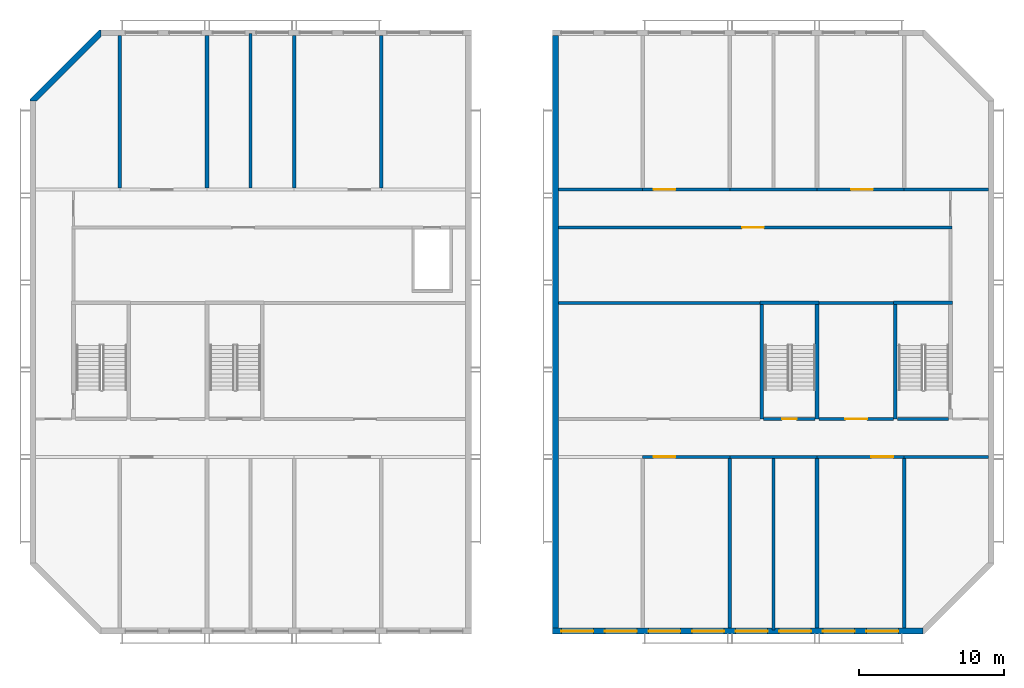
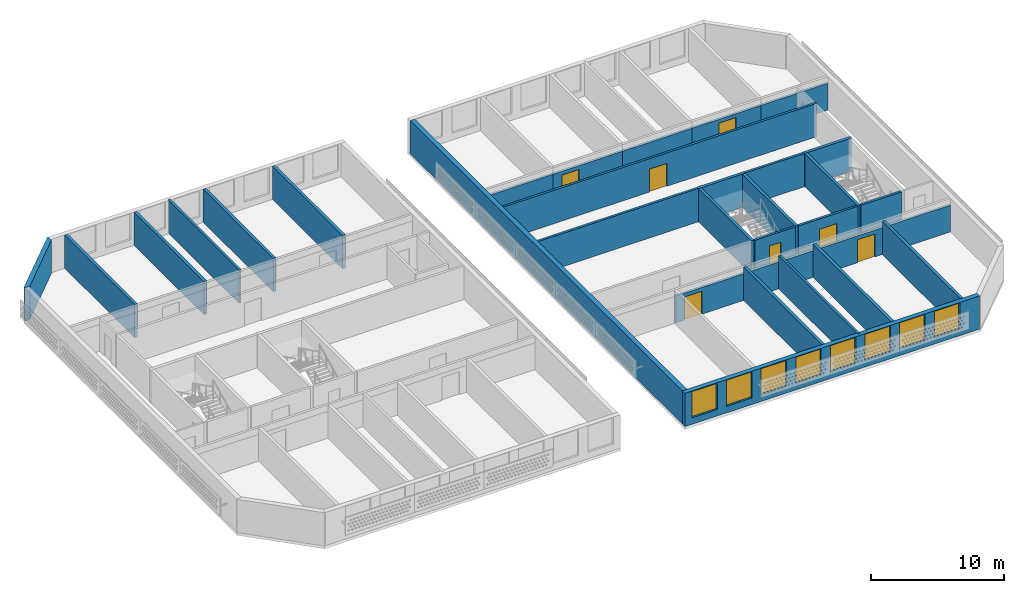
# One storey, part 3 of 18: 32 walls, 8 windows, 7 doors, 15 openings.
"""IFC4 building model written with IfcOpenShell, lengths in metres."""

from ifc_helpers import new_model, si_unit, direction, frame, frame_2d, origin, place, context, subcontext, project, spatial, polyline, rectangle, outline, extrude, material, layer, layer_set, type_object, element, fill, save


model = new_model("IFC4")

# Units and contexts
model_context = context("Model", 3, precision=1e-05, world=origin(), true_north=direction((0.0, 1.0)))
body_context = subcontext(model_context, "Body", "Model", "MODEL_VIEW")
ifc_project = project(units=[si_unit("LENGTHUNIT", "METRE"), si_unit("AREAUNIT", "SQUARE_METRE"), si_unit("VOLUMEUNIT", "CUBIC_METRE"), si_unit("PLANEANGLEUNIT", "RADIAN"), si_unit("MASSUNIT", "GRAM", prefix="KILO")], contexts=[model_context])

# Site, building, storey
site_placement = place(None, origin())
site = spatial("IfcSite", under=ifc_project, at=site_placement, CompositionType="ELEMENT")
building_placement = place(site_placement, origin())
building = spatial("IfcBuilding", under=site, at=building_placement, Name="Poui Terraces", CompositionType="ELEMENT")
storey_placement = place(building_placement, frame((0.0, 0.0, 275.699951171875)))
storey = spatial("IfcBuildingStorey", under=building, at=storey_placement, Name="L76 CROWN", CompositionType="ELEMENT", Elevation=275.699951171875)

# Wall, opening, door
ifc_material_1 = material(Name="Concrete 50 MPa", Category="concrete")
ifc_layer_1 = layer(ifc_material_1, 0.199951171875)
ifc_layer_set_1 = layer_set([ifc_layer_1], Name="Concrete 50 MPa")
wall_type_1 = type_object("IfcWallType", Name="CORRIDOR WALL 200 50MPa", PredefinedType="SHEAR", material=ifc_layer_set_1)
wall_1_placement = place(storey_placement, frame((60.0, 12.0, 0.0), z_axis=(0.0, 0.0, 1.0), x_axis=(1.0, 0.0, 0.0)))
wall_1 = element("IfcWall", 1, at=wall_1_placement, inside=storey, type_object=wall_type_1, Name="CORRIDOR WALL LINE B BAY E2", PredefinedType="SHEAR", context=body_context, shape_type="SweptSolid", body=[
    extrude(rectangle(XDim=6.0, YDim=0.199951171875, at=frame_2d((3.0, 0.0))), origin(), (0.0, 0.0, 1.0), 2.449951171875),
])
opening_1_placement = place(wall_1_placement, frame((0.75, 0.0, 0.0)))
opening_1 = element("IfcOpeningElement", 2, at=opening_1_placement, cuts=wall_1, Name="Opening FDP", PredefinedType="OPENING", context=body_context, shape_type="SweptSolid", body=[
    extrude(rectangle(XDim=1.5, YDim=2.10009765625, at=frame_2d((0.75, 1.050048828125))), frame((0.0, 0.10986328125, 0.0), z_axis=(0.0, -1.0, 0.0), x_axis=(1.0, 0.0, 0.0)), (0.0, 0.0, 1.0), 0.219970703125),
])
ifc_material_2 = material(Name="Steel fire door", Category="steel")
door_type_1 = type_object("IfcDoorType", Name="PLANT ROOM DOOR PAIR 1500 X 2100", OperationType="DOUBLE_DOOR_SINGLE_SWING", PredefinedType="DOOR", material=ifc_material_2)
door_1_placement = place(opening_1_placement, origin())
door_1 = element("IfcDoor", 3, at=door_1_placement, inside=storey, type_object=door_type_1, Name="PLANT ROOM DOOR PAIR 005", OperationType="DOUBLE_DOOR_SINGLE_SWING", OverallHeight=2.10009765625, OverallWidth=1.5, PredefinedType="DOOR", context=body_context, shape_type="SweptSolid", body=[
    extrude(rectangle(XDim=1.5, YDim=2.10009765625, at=frame_2d((0.75, 1.050048828125))), frame((0.0, 0.02490234375, 0.0), z_axis=(0.0, -1.0, 0.0), x_axis=(1.0, 0.0, 0.0)), (0.0, 0.0, 1.0), 0.050048828125),
])
fill(opening_1, door_1)

# Wall
wall_2_placement = place(storey_placement, frame((66.0, 12.0, 0.0), z_axis=(0.0, 0.0, 1.0), x_axis=(1.0, 0.0, 0.0)))
element("IfcWall", 4, at=wall_2_placement, inside=storey, type_object=wall_type_1, Name="CORRIDOR WALL LINE B BAY E3", PredefinedType="SHEAR", context=body_context, shape_type="SweptSolid", body=[
    extrude(rectangle(XDim=6.0, YDim=0.199951171875, at=frame_2d((3.0, 0.0))), origin(), (0.0, 0.0, 1.0), 2.449951171875),
])

# Wall, opening, door
wall_3_placement = place(storey_placement, frame((72.0, 12.0, 0.0), z_axis=(0.0, 0.0, 1.0), x_axis=(1.0, 0.0, 0.0)))
wall_3 = element("IfcWall", 5, at=wall_3_placement, inside=storey, type_object=wall_type_1, Name="CORRIDOR WALL LINE B BAY E4", PredefinedType="SHEAR", context=body_context, shape_type="SweptSolid", body=[
    extrude(rectangle(XDim=6.0, YDim=0.199951171875, at=frame_2d((3.0, 0.0))), origin(), (0.0, 0.0, 1.0), 2.449951171875),
])
opening_2_placement = place(wall_3_placement, frame((3.75, 0.0, 0.0)))
opening_2 = element("IfcOpeningElement", 6, at=opening_2_placement, cuts=wall_3, Name="Opening FDP", PredefinedType="OPENING", context=body_context, shape_type="SweptSolid", body=[
    extrude(rectangle(XDim=1.5, YDim=2.10009765625, at=frame_2d((0.75, 1.050048828125))), frame((0.0, 0.10986328125, 0.0), z_axis=(0.0, -1.0, 0.0), x_axis=(1.0, 0.0, 0.0)), (0.0, 0.0, 1.0), 0.219970703125),
])
door_2_placement = place(opening_2_placement, origin())
door_2 = element("IfcDoor", 7, at=door_2_placement, inside=storey, type_object=door_type_1, Name="PLANT ROOM DOOR PAIR 007", OperationType="DOUBLE_DOOR_SINGLE_SWING", OverallHeight=2.10009765625, OverallWidth=1.5, PredefinedType="DOOR", context=body_context, shape_type="SweptSolid", body=[
    extrude(rectangle(XDim=1.5, YDim=2.10009765625, at=frame_2d((0.75, 1.050048828125))), frame((0.0, 0.02490234375, 0.0), z_axis=(0.0, -1.0, 0.0), x_axis=(1.0, 0.0, 0.0)), (0.0, 0.0, 1.0), 0.050048828125),
])
fill(opening_2, door_2)

# Walls
for number, where, z_axis, x_axis, name in (
    (8, (78.0, 12.0, 0.0), (0.0, 0.0, 1.0), (1.0, 0.0, 0.0), "CORRIDOR WALL LINE B BAY E5"),
    (9, (54.199951171875, 30.39990234375, 0.0), (0.0, 0.0, 1.0), (1.0, 0.0, 0.0), "CORRIDOR WALL LINE E BAY E1"),
):
    element("IfcWall", number, at=place(storey_placement, frame(where, z_axis=z_axis, x_axis=x_axis)), inside=storey, type_object=wall_type_1, Name=name, PredefinedType="SHEAR", context=body_context, shape_type="SweptSolid", body=[
        extrude(rectangle(XDim=5.800048828125, YDim=0.199951171875, at=frame_2d((2.89990234375, 0.0))), origin(), (0.0, 0.0, 1.0), 2.449951171875),
    ])

# Wall, opening, door
wall_4_placement = place(storey_placement, frame((60.0, 30.39990234375, 0.0), z_axis=(0.0, 0.0, 1.0), x_axis=(1.0, 0.0, 0.0)))
wall_4 = element("IfcWall", 10, at=wall_4_placement, inside=storey, type_object=wall_type_1, Name="CORRIDOR WALL LINE E BAY E2", PredefinedType="SHEAR", context=body_context, shape_type="SweptSolid", body=[
    extrude(rectangle(XDim=6.0, YDim=0.199951171875, at=frame_2d((3.0, 0.0))), origin(), (0.0, 0.0, 1.0), 2.449951171875),
])
opening_3_placement = place(wall_4_placement, frame((0.75, 0.0, 0.0)))
opening_3 = element("IfcOpeningElement", 11, at=opening_3_placement, cuts=wall_4, Name="Opening FDP", PredefinedType="OPENING", context=body_context, shape_type="SweptSolid", body=[
    extrude(rectangle(XDim=1.5, YDim=2.10009765625, at=frame_2d((0.75, 1.050048828125))), frame((0.0, 0.10986328125, 0.0), z_axis=(0.0, -1.0, 0.0), x_axis=(1.0, 0.0, 0.0)), (0.0, 0.0, 1.0), 0.219970703125),
])
door_3_placement = place(opening_3_placement, frame((1.5, 0.0, 0.0), z_axis=(0.0, 0.0, 1.0), x_axis=(-1.0, 0.0, 0.0)))
door_3 = element("IfcDoor", 12, at=door_3_placement, inside=storey, type_object=door_type_1, Name="PLANT ROOM DOOR PAIR 001", OperationType="DOUBLE_DOOR_SINGLE_SWING", OverallHeight=2.10009765625, OverallWidth=1.5, PredefinedType="DOOR", context=body_context, shape_type="SweptSolid", body=[
    extrude(rectangle(XDim=1.5, YDim=2.10009765625, at=frame_2d((0.75, 1.050048828125))), frame((0.0, 0.02490234375, 0.0), z_axis=(0.0, -1.0, 0.0), x_axis=(1.0, 0.0, 0.0)), (0.0, 0.0, 1.0), 0.050048828125),
])
fill(opening_3, door_3)

# Wall
wall_5_placement = place(storey_placement, frame((66.0, 30.39990234375, 0.0), z_axis=(0.0, 0.0, 1.0), x_axis=(1.0, 0.0, 0.0)))
element("IfcWall", 13, at=wall_5_placement, inside=storey, type_object=wall_type_1, Name="CORRIDOR WALL LINE E BAY E3", PredefinedType="SHEAR", context=body_context, shape_type="SweptSolid", body=[
    extrude(rectangle(XDim=6.0, YDim=0.199951171875, at=frame_2d((3.0, 0.0))), origin(), (0.0, 0.0, 1.0), 2.449951171875),
])

# Wall, opening, door
wall_6_placement = place(storey_placement, frame((72.0, 30.39990234375, 0.0), z_axis=(0.0, 0.0, 1.0), x_axis=(1.0, 0.0, 0.0)))
wall_6 = element("IfcWall", 14, at=wall_6_placement, inside=storey, type_object=wall_type_1, Name="CORRIDOR WALL LINE E BAY E4", PredefinedType="SHEAR", context=body_context, shape_type="SweptSolid", body=[
    extrude(rectangle(XDim=6.0, YDim=0.199951171875, at=frame_2d((3.0, 0.0))), origin(), (0.0, 0.0, 1.0), 2.449951171875),
])
opening_4_placement = place(wall_6_placement, frame((2.35009765625, 0.0, 0.0)))
opening_4 = element("IfcOpeningElement", 15, at=opening_4_placement, cuts=wall_6, Name="Opening FDP", PredefinedType="OPENING", context=body_context, shape_type="SweptSolid", body=[
    extrude(rectangle(XDim=1.5, YDim=2.10009765625, at=frame_2d((0.75, 1.050048828125))), frame((0.0, 0.10986328125, 0.0), z_axis=(0.0, -1.0, 0.0), x_axis=(1.0, 0.0, 0.0)), (0.0, 0.0, 1.0), 0.219970703125),
])
door_4_placement = place(opening_4_placement, frame((1.5, 0.0, 0.0), z_axis=(0.0, 0.0, 1.0), x_axis=(-1.0, 0.0, 0.0)))
door_4 = element("IfcDoor", 16, at=door_4_placement, inside=storey, type_object=door_type_1, Name="PLANT ROOM DOOR PAIR 003", OperationType="DOUBLE_DOOR_SINGLE_SWING", OverallHeight=2.10009765625, OverallWidth=1.5, PredefinedType="DOOR", context=body_context, shape_type="SweptSolid", body=[
    extrude(rectangle(XDim=1.5, YDim=2.10009765625, at=frame_2d((0.75, 1.050048828125))), frame((0.0, 0.02490234375, 0.0), z_axis=(0.0, -1.0, 0.0), x_axis=(1.0, 0.0, 0.0)), (0.0, 0.0, 1.0), 0.050048828125),
])
fill(opening_4, door_4)

# Walls
wall_7_placement = place(storey_placement, frame((78.0, 30.39990234375, 0.0), z_axis=(0.0, 0.0, 1.0), x_axis=(1.0, 0.0, 0.0)))
element("IfcWall", 17, at=wall_7_placement, inside=storey, type_object=wall_type_1, Name="CORRIDOR WALL LINE E BAY E5", PredefinedType="SHEAR", context=body_context, shape_type="SweptSolid", body=[
    extrude(rectangle(XDim=5.800048828125, YDim=0.199951171875, at=frame_2d((2.89990234375, 0.0))), origin(), (0.0, 0.0, 1.0), 2.449951171875),
])
ifc_layer_2 = layer(ifc_material_1, 0.25)
ifc_layer_set_2 = layer_set([ifc_layer_2], Name="Concrete 50 MPa")
wall_type_2 = type_object("IfcWallType", Name="CROSS WALL 250 50MPa", PredefinedType="SHEAR", material=ifc_layer_set_2)
for number, where, z_axis, x_axis, name in (
    (18, (24.0, 30.5, 0.0), (0.0, 0.0, 1.0), (0.0, 1.0, 0.0), "CROSS WALL LINE 5 NORTH"),
    (19, (30.0, 30.5, 0.0), (0.0, 0.0, 1.0), (0.0, 1.0, 0.0), "CROSS WALL LINE 6 NORTH"),
    (20, (36.0, 30.5, 0.0), (0.0, 0.0, 1.0), (0.0, 1.0, 0.0), "CROSS WALL LINE 7 NORTH"),
    (21, (42.0, 30.5, 0.0), (0.0, 0.0, 1.0), (0.0, 1.0, 0.0), "CROSS WALL LINE 8 NORTH"),
):
    element("IfcWall", number, at=place(storey_placement, frame(where, z_axis=z_axis, x_axis=x_axis)), inside=storey, type_object=wall_type_2, Name=name, PredefinedType="SHEAR", context=body_context, shape_type="SweptSolid", body=[
        extrude(rectangle(XDim=10.5, YDim=0.25, at=frame_2d((5.25, 0.0))), origin(), (0.0, 0.0, 1.0), 3.050048828125),
    ])
for number, where, z_axis, x_axis, name in (
    (22, (66.0, 0.199951171875, 0.0), (0.0, 0.0, 1.0), (0.0, 1.0, 0.0), "CROSS WALL LINE 12 SOUTH"),
    (23, (72.0, 0.199951171875, 0.0), (0.0, 0.0, 1.0), (0.0, 1.0, 0.0), "CROSS WALL LINE 13 SOUTH"),
    (24, (78.0, 0.199951171875, 0.0), (0.0, 0.0, 1.0), (0.0, 1.0, 0.0), "CROSS WALL LINE 14 SOUTH"),
):
    element("IfcWall", number, at=place(storey_placement, frame(where, z_axis=z_axis, x_axis=x_axis)), inside=storey, type_object=wall_type_2, Name=name, PredefinedType="SHEAR", context=body_context, shape_type="SweptSolid", body=[
        extrude(rectangle(XDim=11.699951171875, YDim=0.25, at=frame_2d((5.85009765625, 0.0))), origin(), (0.0, 0.0, 1.0), 3.050048828125),
    ])
ifc_layer_3 = layer(ifc_material_1, 0.39990234375)
ifc_layer_set_3 = layer_set([ifc_layer_3], Name="Concrete 50 MPa")
wall_type_3 = type_object("IfcWallType", Name="END WALL 400 50MPa", PredefinedType="SHEAR", material=ifc_layer_set_3)
wall_8_placement = place(storey_placement, frame((54.0, 0.199951171875, 0.0), z_axis=(0.0, 0.0, 1.0), x_axis=(0.0, 1.0, 0.0)))
element("IfcWall", 25, at=wall_8_placement, inside=storey, type_object=wall_type_3, Name="END WALL LINE 10", PredefinedType="SHEAR", context=body_context, shape_type="SweptSolid", body=[
    extrude(rectangle(XDim=40.800048828125, YDim=0.39990234375, at=frame_2d((20.39990234375, 0.0))), origin(), (0.0, 0.0, 1.0), 3.050048828125),
])

# Wall, openings, windows
ifc_material_3 = material(Name="Precast concrete 40 MPa", Category="concrete")
ifc_layer_4 = layer(ifc_material_3, 0.39990234375)
ifc_layer_set_4 = layer_set([ifc_layer_4], Name="Precast concrete 40 MPa")
wall_type_4 = type_object("IfcWallType", Name="EXTERNAL WALL 400", PredefinedType="STANDARD", material=ifc_layer_set_4)
wall_9_placement = place(storey_placement, frame((53.800048828125, 0.0, 0.0), z_axis=(0.0, 0.0, 1.0), x_axis=(1.0, 0.0, 0.0)))
wall_9 = element("IfcWall", 26, at=wall_9_placement, inside=storey, type_object=wall_type_4, Name="EXTERNAL WALL S", PredefinedType="STANDARD", context=body_context, shape_type="SweptSolid", body=[
    extrude(rectangle(XDim=25.51708984375, YDim=0.39990234375, at=frame_2d((12.758544921875, 0.0))), origin(), (0.0, 0.0, 1.0), 3.050048828125),
])
opening_5_placement = place(wall_9_placement, frame((0.60009765625, 0.0, 0.60009765625)))
opening_5 = element("IfcOpeningElement", 27, at=opening_5_placement, cuts=wall_9, Name="Opening W5", PredefinedType="OPENING", context=body_context, shape_type="SweptSolid", body=[
    extrude(rectangle(XDim=2.199951171875, YDim=2.39990234375, at=frame_2d((1.10009765625, 1.199951171875))), frame((0.0, 0.2099609375, 0.0), z_axis=(0.0, -1.0, 0.0), x_axis=(1.0, 0.0, 0.0)), (0.0, 0.0, 1.0), 0.419921875),
])
opening_6_placement = place(wall_9_placement, frame((3.60009765625, 0.0, 0.60009765625)))
opening_6 = element("IfcOpeningElement", 28, at=opening_6_placement, cuts=wall_9, Name="Opening W5", PredefinedType="OPENING", context=body_context, shape_type="SweptSolid", body=[
    extrude(rectangle(XDim=2.199951171875, YDim=2.39990234375, at=frame_2d((1.10009765625, 1.199951171875))), frame((0.0, 0.2099609375, 0.0), z_axis=(0.0, -1.0, 0.0), x_axis=(1.0, 0.0, 0.0)), (0.0, 0.0, 1.0), 0.419921875),
])
opening_7_placement = place(wall_9_placement, frame((6.60009765625, 0.0, 0.60009765625)))
opening_7 = element("IfcOpeningElement", 29, at=opening_7_placement, cuts=wall_9, Name="Opening W5", PredefinedType="OPENING", context=body_context, shape_type="SweptSolid", body=[
    extrude(rectangle(XDim=2.199951171875, YDim=2.39990234375, at=frame_2d((1.10009765625, 1.199951171875))), frame((0.0, 0.2099609375, 0.0), z_axis=(0.0, -1.0, 0.0), x_axis=(1.0, 0.0, 0.0)), (0.0, 0.0, 1.0), 0.419921875),
])
opening_8_placement = place(wall_9_placement, frame((9.60009765625, 0.0, 0.60009765625)))
opening_8 = element("IfcOpeningElement", 30, at=opening_8_placement, cuts=wall_9, Name="Opening W5", PredefinedType="OPENING", context=body_context, shape_type="SweptSolid", body=[
    extrude(rectangle(XDim=2.199951171875, YDim=2.39990234375, at=frame_2d((1.10009765625, 1.199951171875))), frame((0.0, 0.2099609375, 0.0), z_axis=(0.0, -1.0, 0.0), x_axis=(1.0, 0.0, 0.0)), (0.0, 0.0, 1.0), 0.419921875),
])
opening_9_placement = place(wall_9_placement, frame((12.60009765625, 0.0, 0.60009765625)))
opening_9 = element("IfcOpeningElement", 31, at=opening_9_placement, cuts=wall_9, Name="Opening W5", PredefinedType="OPENING", context=body_context, shape_type="SweptSolid", body=[
    extrude(rectangle(XDim=2.199951171875, YDim=2.39990234375, at=frame_2d((1.10009765625, 1.199951171875))), frame((0.0, 0.2099609375, 0.0), z_axis=(0.0, -1.0, 0.0), x_axis=(1.0, 0.0, 0.0)), (0.0, 0.0, 1.0), 0.419921875),
])
opening_10_placement = place(wall_9_placement, frame((15.60009765625, 0.0, 0.60009765625)))
opening_10 = element("IfcOpeningElement", 32, at=opening_10_placement, cuts=wall_9, Name="Opening W5", PredefinedType="OPENING", context=body_context, shape_type="SweptSolid", body=[
    extrude(rectangle(XDim=2.199951171875, YDim=2.39990234375, at=frame_2d((1.10009765625, 1.199951171875))), frame((0.0, 0.2099609375, 0.0), z_axis=(0.0, -1.0, 0.0), x_axis=(1.0, 0.0, 0.0)), (0.0, 0.0, 1.0), 0.419921875),
])
opening_11_placement = place(wall_9_placement, frame((18.60009765625, 0.0, 0.60009765625)))
opening_11 = element("IfcOpeningElement", 33, at=opening_11_placement, cuts=wall_9, Name="Opening W5", PredefinedType="OPENING", context=body_context, shape_type="SweptSolid", body=[
    extrude(rectangle(XDim=2.199951171875, YDim=2.39990234375, at=frame_2d((1.10009765625, 1.199951171875))), frame((0.0, 0.2099609375, 0.0), z_axis=(0.0, -1.0, 0.0), x_axis=(1.0, 0.0, 0.0)), (0.0, 0.0, 1.0), 0.419921875),
])
opening_12_placement = place(wall_9_placement, frame((21.60009765625, 0.0, 0.60009765625)))
opening_12 = element("IfcOpeningElement", 34, at=opening_12_placement, cuts=wall_9, Name="Opening W5", PredefinedType="OPENING", context=body_context, shape_type="SweptSolid", body=[
    extrude(rectangle(XDim=2.199951171875, YDim=2.39990234375, at=frame_2d((1.10009765625, 1.199951171875))), frame((0.0, 0.2099609375, 0.0), z_axis=(0.0, -1.0, 0.0), x_axis=(1.0, 0.0, 0.0)), (0.0, 0.0, 1.0), 0.419921875),
])
ifc_material_4 = material(Name="Clear glass in aluminium frame", Category="aluminium")
window_type = type_object("IfcWindowType", Name="WINDOW 2200X2400", PartitioningType="TRIPLE_PANEL_HORIZONTAL", PredefinedType="WINDOW", material=ifc_material_4)
window_1_placement = place(opening_5_placement, origin())
window_1 = element("IfcWindow", 35, at=window_1_placement, inside=storey, type_object=window_type, Name="W5 WINDOW", OverallHeight=2.39990234375, OverallWidth=2.199951171875, PartitioningType="TRIPLE_PANEL_HORIZONTAL", PredefinedType="WINDOW", context=body_context, shape_type="SweptSolid", body=[
    extrude(rectangle(XDim=2.199951171875, YDim=2.39990234375, at=frame_2d((1.10009765625, 1.199951171875))), frame((0.0, 0.030029296875, 0.0), z_axis=(0.0, -1.0, 0.0), x_axis=(1.0, 0.0, 0.0)), (0.0, 0.0, 1.0), 0.06005859375),
])
fill(opening_5, window_1)
window_2_placement = place(opening_6_placement, origin())
window_2 = element("IfcWindow", 36, at=window_2_placement, inside=storey, type_object=window_type, Name="W5 WINDOW", OverallHeight=2.39990234375, OverallWidth=2.199951171875, PartitioningType="TRIPLE_PANEL_HORIZONTAL", PredefinedType="WINDOW", context=body_context, shape_type="SweptSolid", body=[
    extrude(rectangle(XDim=2.199951171875, YDim=2.39990234375, at=frame_2d((1.10009765625, 1.199951171875))), frame((0.0, 0.030029296875, 0.0), z_axis=(0.0, -1.0, 0.0), x_axis=(1.0, 0.0, 0.0)), (0.0, 0.0, 1.0), 0.06005859375),
])
fill(opening_6, window_2)
window_3_placement = place(opening_7_placement, origin())
window_3 = element("IfcWindow", 37, at=window_3_placement, inside=storey, type_object=window_type, Name="W5 WINDOW", OverallHeight=2.39990234375, OverallWidth=2.199951171875, PartitioningType="TRIPLE_PANEL_HORIZONTAL", PredefinedType="WINDOW", context=body_context, shape_type="SweptSolid", body=[
    extrude(rectangle(XDim=2.199951171875, YDim=2.39990234375, at=frame_2d((1.10009765625, 1.199951171875))), frame((0.0, 0.030029296875, 0.0), z_axis=(0.0, -1.0, 0.0), x_axis=(1.0, 0.0, 0.0)), (0.0, 0.0, 1.0), 0.06005859375),
])
fill(opening_7, window_3)
window_4_placement = place(opening_8_placement, origin())
window_4 = element("IfcWindow", 38, at=window_4_placement, inside=storey, type_object=window_type, Name="W5 WINDOW", OverallHeight=2.39990234375, OverallWidth=2.199951171875, PartitioningType="TRIPLE_PANEL_HORIZONTAL", PredefinedType="WINDOW", context=body_context, shape_type="SweptSolid", body=[
    extrude(rectangle(XDim=2.199951171875, YDim=2.39990234375, at=frame_2d((1.10009765625, 1.199951171875))), frame((0.0, 0.030029296875, 0.0), z_axis=(0.0, -1.0, 0.0), x_axis=(1.0, 0.0, 0.0)), (0.0, 0.0, 1.0), 0.06005859375),
])
fill(opening_8, window_4)
window_5_placement = place(opening_9_placement, origin())
window_5 = element("IfcWindow", 39, at=window_5_placement, inside=storey, type_object=window_type, Name="W5 WINDOW", OverallHeight=2.39990234375, OverallWidth=2.199951171875, PartitioningType="TRIPLE_PANEL_HORIZONTAL", PredefinedType="WINDOW", context=body_context, shape_type="SweptSolid", body=[
    extrude(rectangle(XDim=2.199951171875, YDim=2.39990234375, at=frame_2d((1.10009765625, 1.199951171875))), frame((0.0, 0.030029296875, 0.0), z_axis=(0.0, -1.0, 0.0), x_axis=(1.0, 0.0, 0.0)), (0.0, 0.0, 1.0), 0.06005859375),
])
fill(opening_9, window_5)
window_6_placement = place(opening_10_placement, origin())
window_6 = element("IfcWindow", 40, at=window_6_placement, inside=storey, type_object=window_type, Name="W5 WINDOW", OverallHeight=2.39990234375, OverallWidth=2.199951171875, PartitioningType="TRIPLE_PANEL_HORIZONTAL", PredefinedType="WINDOW", context=body_context, shape_type="SweptSolid", body=[
    extrude(rectangle(XDim=2.199951171875, YDim=2.39990234375, at=frame_2d((1.10009765625, 1.199951171875))), frame((0.0, 0.030029296875, 0.0), z_axis=(0.0, -1.0, 0.0), x_axis=(1.0, 0.0, 0.0)), (0.0, 0.0, 1.0), 0.06005859375),
])
fill(opening_10, window_6)
window_7_placement = place(opening_11_placement, origin())
window_7 = element("IfcWindow", 41, at=window_7_placement, inside=storey, type_object=window_type, Name="W5 WINDOW", OverallHeight=2.39990234375, OverallWidth=2.199951171875, PartitioningType="TRIPLE_PANEL_HORIZONTAL", PredefinedType="WINDOW", context=body_context, shape_type="SweptSolid", body=[
    extrude(rectangle(XDim=2.199951171875, YDim=2.39990234375, at=frame_2d((1.10009765625, 1.199951171875))), frame((0.0, 0.030029296875, 0.0), z_axis=(0.0, -1.0, 0.0), x_axis=(1.0, 0.0, 0.0)), (0.0, 0.0, 1.0), 0.06005859375),
])
fill(opening_11, window_7)
window_8_placement = place(opening_12_placement, origin())
window_8 = element("IfcWindow", 42, at=window_8_placement, inside=storey, type_object=window_type, Name="W5 WINDOW", OverallHeight=2.39990234375, OverallWidth=2.199951171875, PartitioningType="TRIPLE_PANEL_HORIZONTAL", PredefinedType="WINDOW", context=body_context, shape_type="SweptSolid", body=[
    extrude(rectangle(XDim=2.199951171875, YDim=2.39990234375, at=frame_2d((1.10009765625, 1.199951171875))), frame((0.0, 0.030029296875, 0.0), z_axis=(0.0, -1.0, 0.0), x_axis=(1.0, 0.0, 0.0)), (0.0, 0.0, 1.0), 0.06005859375),
])
fill(opening_12, window_8)

# Wall, opening, door
ifc_material_5 = material(Name="Fire-rated masonry wall", Category="masonry")
ifc_layer_5 = layer(ifc_material_5, 0.199951171875)
ifc_layer_set_5 = layer_set([ifc_layer_5], Name="Fire-rated masonry wall")
wall_type_5 = type_object("IfcWallType", Name="PLANT ROOM WALL 200", PredefinedType="PARTITIONING", material=ifc_layer_set_5)
wall_10_placement = place(storey_placement, frame((72.135009765625, 14.60009765625, 0.0), z_axis=(0.0, 0.0, 1.0), x_axis=(1.0, 0.0, 0.0)))
wall_10 = element("IfcWall", 43, at=wall_10_placement, inside=storey, type_object=wall_type_5, Name="PLANT ROOM WALL 200", PredefinedType="PARTITIONING", context=body_context, shape_type="SweptSolid", body=[
    extrude(rectangle(XDim=5.1298828125, YDim=0.199951171875, at=frame_2d((2.56494140625, 0.0))), origin(), (0.0, 0.0, 1.0), 3.050048828125),
])
opening_13_placement = place(wall_10_placement, frame((1.81494140625, 0.0, 0.0)))
opening_13 = element("IfcOpeningElement", 44, at=opening_13_placement, cuts=wall_10, Name="Opening FDP", PredefinedType="OPENING", context=body_context, shape_type="SweptSolid", body=[
    extrude(rectangle(XDim=1.5, YDim=2.10009765625, at=frame_2d((0.75, 1.050048828125))), frame((0.0, 0.10986328125, 0.0), z_axis=(0.0, -1.0, 0.0), x_axis=(1.0, 0.0, 0.0)), (0.0, 0.0, 1.0), 0.219970703125),
])
door_5_placement = place(opening_13_placement, frame((1.5, 0.0, 0.0), z_axis=(0.0, 0.0, 1.0), x_axis=(-1.0, 0.0, 0.0)))
door_5 = element("IfcDoor", 45, at=door_5_placement, inside=storey, type_object=door_type_1, Name="PLANT ROOM DOOR PAIR 006", OperationType="DOUBLE_DOOR_SINGLE_SWING", OverallHeight=2.10009765625, OverallWidth=1.5, PredefinedType="DOOR", context=body_context, shape_type="SweptSolid", body=[
    extrude(rectangle(XDim=1.5, YDim=2.10009765625, at=frame_2d((0.75, 1.050048828125))), frame((0.0, 0.02490234375, 0.0), z_axis=(0.0, -1.0, 0.0), x_axis=(1.0, 0.0, 0.0)), (0.0, 0.0, 1.0), 0.050048828125),
])
fill(opening_13, door_5)

# Walls
wall_11_placement = place(storey_placement, frame((54.2099609375, 22.60009765625, 0.0), z_axis=(0.0, 0.0, 1.0), x_axis=(1.0, 0.0, 0.0)))
element("IfcWall", 46, at=wall_11_placement, inside=storey, type_object=wall_type_5, Name="PLANT ROOM WALL 200", PredefinedType="PARTITIONING", context=body_context, shape_type="SweptSolid", body=[
    extrude(rectangle(XDim=13.85498046875, YDim=0.199951171875, at=frame_2d((6.927490234375, 0.0))), origin(), (0.0, 0.0, 1.0), 3.050048828125),
])
wall_12_placement = place(storey_placement, frame((72.135009765625, 22.60009765625, 0.0), z_axis=(0.0, 0.0, 1.0), x_axis=(1.0, 0.0, 0.0)))
element("IfcWall", 47, at=wall_12_placement, inside=storey, type_object=wall_type_5, Name="PLANT ROOM WALL 200", PredefinedType="PARTITIONING", context=body_context, shape_type="SweptSolid", body=[
    extrude(rectangle(XDim=5.1298828125, YDim=0.199951171875, at=frame_2d((2.56494140625, 0.0))), origin(), (0.0, 0.0, 1.0), 3.050048828125),
])

# Wall, opening, door
wall_13_placement = place(storey_placement, frame((54.2099609375, 27.800048828125, 0.0), z_axis=(0.0, 0.0, 1.0), x_axis=(1.0, 0.0, 0.0)))
wall_13 = element("IfcWall", 48, at=wall_13_placement, inside=storey, type_object=wall_type_5, Name="PLANT ROOM WALL 200", PredefinedType="PARTITIONING", context=body_context, shape_type="SweptSolid", body=[
    extrude(rectangle(XDim=27.090087890625, YDim=0.199951171875, at=frame_2d((13.544921875, 0.0))), origin(), (0.0, 0.0, 1.0), 3.050048828125),
])
opening_14_placement = place(wall_13_placement, frame((12.639892578125, 0.0, 0.0)))
opening_14 = element("IfcOpeningElement", 49, at=opening_14_placement, cuts=wall_13, Name="Opening FDP", PredefinedType="OPENING", context=body_context, shape_type="SweptSolid", body=[
    extrude(rectangle(XDim=1.5, YDim=2.10009765625, at=frame_2d((0.75, 1.050048828125))), frame((0.0, 0.10986328125, 0.0), z_axis=(0.0, -1.0, 0.0), x_axis=(1.0, 0.0, 0.0)), (0.0, 0.0, 1.0), 0.219970703125),
])
door_6_placement = place(opening_14_placement, origin())
door_6 = element("IfcDoor", 50, at=door_6_placement, inside=storey, type_object=door_type_1, Name="PLANT ROOM DOOR PAIR 002", OperationType="DOUBLE_DOOR_SINGLE_SWING", OverallHeight=2.10009765625, OverallWidth=1.5, PredefinedType="DOOR", context=body_context, shape_type="SweptSolid", body=[
    extrude(rectangle(XDim=1.5, YDim=2.10009765625, at=frame_2d((0.75, 1.050048828125))), frame((0.0, 0.02490234375, 0.0), z_axis=(0.0, -1.0, 0.0), x_axis=(1.0, 0.0, 0.0)), (0.0, 0.0, 1.0), 0.050048828125),
])
fill(opening_14, door_6)

# Walls
wall_14_placement = place(storey_placement, frame((33.0, 30.510009765625, 0.0), z_axis=(0.0, 0.0, 1.0), x_axis=(0.0, 1.0, 0.0)))
element("IfcWall", 51, at=wall_14_placement, inside=storey, type_object=wall_type_5, Name="PLANT ROOM WALL 200", PredefinedType="PARTITIONING", context=body_context, shape_type="SweptSolid", body=[
    extrude(rectangle(XDim=10.6298828125, YDim=0.199951171875, at=frame_2d((5.31494140625, 0.0))), origin(), (0.0, 0.0, 1.0), 3.050048828125),
])
wall_15_placement = place(storey_placement, frame((69.0, 0.06005859375, 0.0), z_axis=(0.0, 0.0, 1.0), x_axis=(0.0, 1.0, 0.0)))
element("IfcWall", 52, at=wall_15_placement, inside=storey, type_object=wall_type_5, Name="PLANT ROOM WALL 200", PredefinedType="PARTITIONING", context=body_context, shape_type="SweptSolid", body=[
    extrude(rectangle(XDim=11.829833984375, YDim=0.199951171875, at=frame_2d((5.9150390625, 0.0))), origin(), (0.0, 0.0, 1.0), 3.050048828125),
])
ifc_layer_6 = layer(ifc_material_1, 0.25)
ifc_layer_set_6 = layer_set([ifc_layer_6], Name="Concrete 50 MPa")
wall_type_6 = type_object("IfcWallType", Name="STAIR CORE WALL 250 50 MPA", PredefinedType="SOLIDWALL", material=ifc_layer_set_6)
wall_16_placement = place(storey_placement, frame((77.39990234375, 14.60009765625, 0.0), z_axis=(0.0, 0.0, 1.0), x_axis=(0.0, 1.0, 0.0)))
element("IfcWall", 53, at=wall_16_placement, inside=storey, type_object=wall_type_6, Name="STAIR CORE WALL", PredefinedType="SOLIDWALL", context=body_context, shape_type="SweptSolid", body=[
    extrude(rectangle(XDim=7.875, YDim=0.25, at=frame_2d((3.9375, 0.0))), origin(), (0.0, 0.0, 1.0), 3.050048828125),
])
wall_17_placement = place(storey_placement, frame((77.27490234375, 22.60009765625, 0.0), z_axis=(0.0, 0.0, 1.0), x_axis=(1.0, 0.0, 0.0)))
element("IfcWall", 54, at=wall_17_placement, inside=storey, type_object=wall_type_6, Name="STAIR CORE WALL", PredefinedType="SOLIDWALL", context=body_context, shape_type="SweptSolid", body=[
    extrude(rectangle(XDim=4.050048828125, YDim=0.25, at=frame_2d((2.02490234375, 0.0))), origin(), (0.0, 0.0, 1.0), 3.050048828125),
])
for number, where, z_axis, x_axis, name in (
    (55, (68.199951171875, 14.60009765625, 0.0), (0.0, 0.0, 1.0), (0.0, 1.0, 0.0), "STAIR CORE WALL"),
    (56, (72.0, 14.60009765625, 0.0), (0.0, 0.0, 1.0), (0.0, 1.0, 0.0), "STAIR CORE WALL"),
):
    element("IfcWall", number, at=place(storey_placement, frame(where, z_axis=z_axis, x_axis=x_axis)), inside=storey, type_object=wall_type_6, Name=name, PredefinedType="SOLIDWALL", context=body_context, shape_type="SweptSolid", body=[
        extrude(rectangle(XDim=7.875, YDim=0.25, at=frame_2d((3.9375, 0.0))), origin(), (0.0, 0.0, 1.0), 3.050048828125),
    ])
wall_18_placement = place(storey_placement, frame((68.074951171875, 22.60009765625, 0.0), z_axis=(0.0, 0.0, 1.0), x_axis=(1.0, 0.0, 0.0)))
element("IfcWall", 57, at=wall_18_placement, inside=storey, type_object=wall_type_6, Name="STAIR CORE WALL", PredefinedType="SOLIDWALL", context=body_context, shape_type="SweptSolid", body=[
    extrude(rectangle(XDim=4.050048828125, YDim=0.25, at=frame_2d((2.02490234375, 0.0))), origin(), (0.0, 0.0, 1.0), 3.050048828125),
])

# Wall, opening, door
ifc_layer_7 = layer(ifc_material_5, 0.199951171875)
ifc_layer_set_7 = layer_set([ifc_layer_7], Name="Fire-rated masonry wall")
wall_type_7 = type_object("IfcWallType", Name="STAIR WALL 200", PredefinedType="PARTITIONING", material=ifc_layer_set_7)
wall_19_placement = place(storey_placement, frame((68.3349609375, 14.60009765625, 0.0), z_axis=(0.0, 0.0, 1.0), x_axis=(1.0, 0.0, 0.0)))
wall_19 = element("IfcWall", 58, at=wall_19_placement, inside=storey, type_object=wall_type_7, Name="STAIR WALL 200", PredefinedType="PARTITIONING", context=body_context, shape_type="SweptSolid", body=[
    extrude(rectangle(XDim=3.530029296875, YDim=0.199951171875, at=frame_2d((1.76513671875, 0.0))), origin(), (0.0, 0.0, 1.0), 3.050048828125),
])
opening_15_placement = place(wall_19_placement, frame((1.264892578125, 0.0, 0.0)))
opening_15 = element("IfcOpeningElement", 59, at=opening_15_placement, cuts=wall_19, Name="Opening FD60S", PredefinedType="OPENING", context=body_context, shape_type="SweptSolid", body=[
    extrude(rectangle(XDim=1.0, YDim=2.10009765625, at=frame_2d((0.5, 1.050048828125))), frame((0.0, 0.10986328125, 0.0), z_axis=(0.0, -1.0, 0.0), x_axis=(1.0, 0.0, 0.0)), (0.0, 0.0, 1.0), 0.219970703125),
])
door_type_2 = type_object("IfcDoorType", Name="STAIR DOOR 1000 X 2100", OperationType="NOTDEFINED", PredefinedType="DOOR", material=ifc_material_2)
door_7_placement = place(opening_15_placement, frame((1.0, 0.0, 0.0), z_axis=(0.0, 0.0, 1.0), x_axis=(-1.0, 0.0, 0.0)))
door_7 = element("IfcDoor", 60, at=door_7_placement, inside=storey, type_object=door_type_2, Name="STAIR DOOR 011", OperationType="SINGLE_SWING_LEFT", OverallHeight=2.10009765625, OverallWidth=1.0, PredefinedType="DOOR", context=body_context, shape_type="SweptSolid", body=[
    extrude(rectangle(XDim=1.0, YDim=2.10009765625, at=frame_2d((0.5, 1.050048828125))), frame((0.0, 0.02490234375, 0.0), z_axis=(0.0, -1.0, 0.0), x_axis=(1.0, 0.0, 0.0)), (0.0, 0.0, 1.0), 0.050048828125),
])
fill(opening_15, door_7)

# Walls
wall_20_placement = place(storey_placement, frame((77.534912109375, 14.60009765625, 0.0), z_axis=(0.0, 0.0, 1.0), x_axis=(1.0, 0.0, 0.0)))
element("IfcWall", 61, at=wall_20_placement, inside=storey, type_object=wall_type_7, Name="STAIR WALL 200", PredefinedType="PARTITIONING", context=body_context, shape_type="SweptSolid", body=[
    extrude(rectangle(XDim=3.530029296875, YDim=0.199951171875, at=frame_2d((1.76513671875, 0.0))), origin(), (0.0, 0.0, 1.0), 3.050048828125),
])
ifc_layer_8 = layer(ifc_material_3, 0.39990234375)
ifc_layer_set_8 = layer_set([ifc_layer_8], Name="Precast concrete 40 MPa")
wall_type_8 = type_object("IfcWallType", Name="TERRACOTTA CLAD CHAMFER WALL 400", PredefinedType="STANDARD", material=ifc_layer_set_8)
wall_21_placement = place(storey_placement, origin())
element("IfcWall", 62, at=wall_21_placement, inside=storey, type_object=wall_type_8, Name="CHAMFER WALL CH03", PredefinedType="STANDARD", context=body_context, shape_type="SweptSolid", body=[
    extrude(outline(polyline([(22.682861328125, 41.39990234375), (22.60009765625, 41.39990234375), (17.800048828125, 36.60009765625), (17.800048828125, 36.51708984375), (18.28271484375, 36.51708984375), (22.682861328125, 40.917236328125), (22.682861328125, 41.39990234375)])), origin(), (0.0, 0.0, 1.0), 3.050048828125),
])

save(model, "model.ifc")
